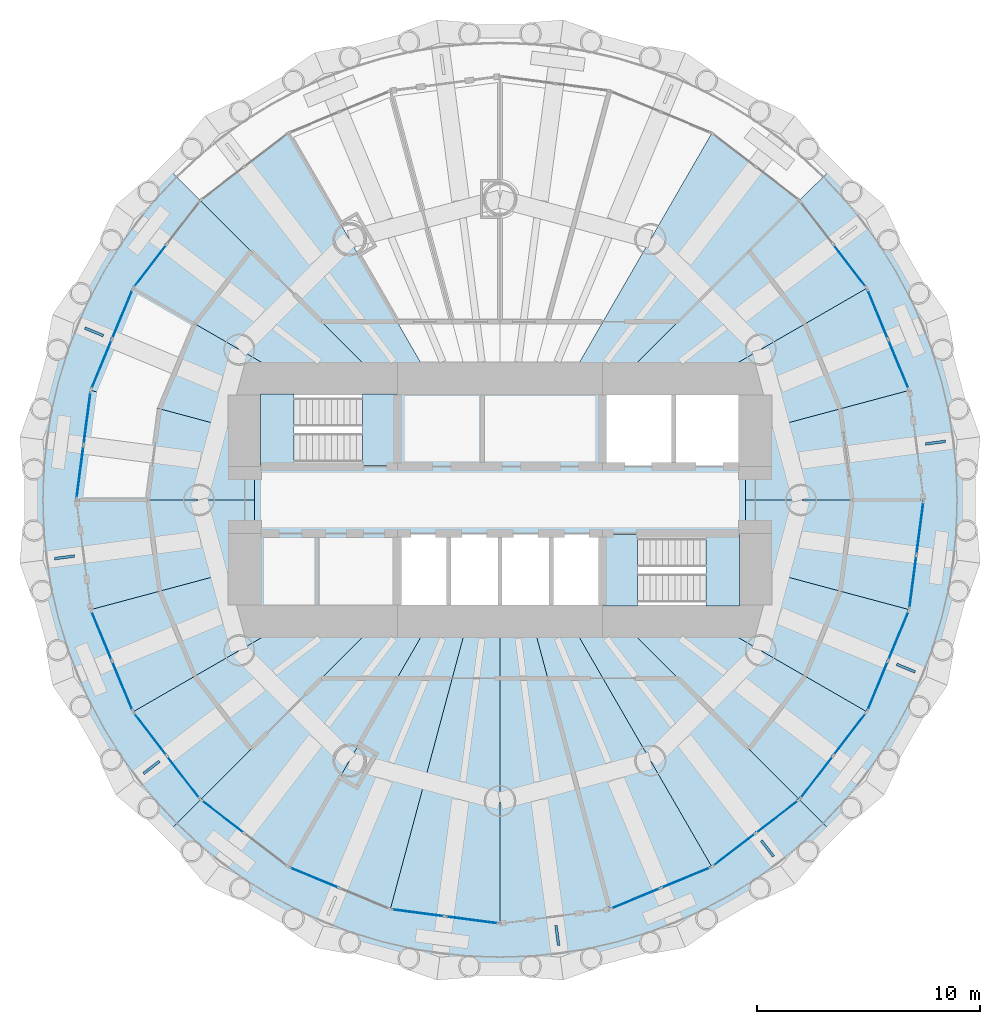
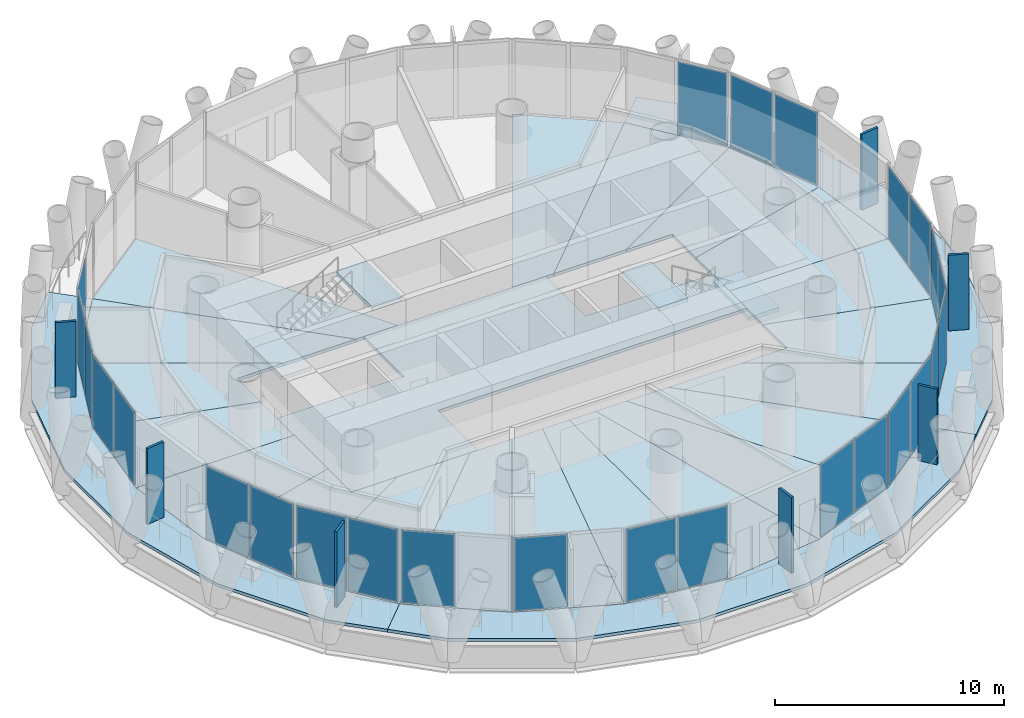
# One storey, part 8 of 16: 33 plates, 28 slabs, 17 elements without a shape of their own.
"""IFC4 building model written with IfcOpenShell, lengths in metres."""

import ifcopenshell
import ifcopenshell.guid

model = None  # the IFC model being written
_history = None  # IfcOwnerHistory: only IFC2X3 demands one
_inside = {}  # id of a spatial element -> (the spatial element, [elements in it])
_under = {}  # id of a project, library or spatial element -> (it, [spatial elements below it])
_declared = {}  # id of a project -> (the project, [libraries it declares])
_typed = {}  # id of a type object -> (the type object, [elements of that type])
_made_of = {}  # id of a material, layer set ... -> (it, [elements and type objects made of it])


def new_model(schema):
    """Start an empty IFC model of exactly this schema.

    Asked for "IFC4X3", IfcOpenShell would pick the latest addendum, in which some entities
    have other attributes; the version numbers below select the first issue.
    IFC2X3 requires an IfcOwnerHistory on every rooted entity: one is made here for all.
    """
    global model, _history
    if schema == "IFC4X3":
        model = ifcopenshell.file(schema_version=(4, 3, 0, 0))
    else:
        model = ifcopenshell.file(schema=schema)
    _inside.clear()
    _under.clear()
    _declared.clear()
    _typed.clear()
    _made_of.clear()
    _history = None
    if model.schema == "IFC2X3":
        org = make("IfcOrganization", Name="unknown")
        user = make(
            "IfcPersonAndOrganization",
            ThePerson=make("IfcPerson", FamilyName="unknown"),
            TheOrganization=org,
        )
        app = make(
            "IfcApplication",
            ApplicationDeveloper=org,
            Version="unknown",
            ApplicationFullName="unknown",
            ApplicationIdentifier="unknown",
        )
        _history = make(
            "IfcOwnerHistory",
            OwningUser=user,
            OwningApplication=app,
            ChangeAction="ADDED",
            CreationDate=0,
        )
    return model


def make(cls, **values):
    """One entity of the class cls with the attributes given. An attribute that is None is left unset."""
    return model.create_entity(
        cls, **{name: value for name, value in values.items() if value is not None}
    )


def rooted(cls, **values):
    """An entity with a GlobalId (a new one), such as an element, a storey or a relation."""
    return make(cls, GlobalId=ifcopenshell.guid.new(), OwnerHistory=_history, **values)


def si_unit(unit_type, name, prefix=None):
    """IfcSIUnit, for example si_unit("LENGTHUNIT", "METRE", prefix="MILLI")."""
    return make("IfcSIUnit", UnitType=unit_type, Prefix=prefix, Name=name)


def assignment(units):
    """IfcUnitAssignment: the units of a project."""
    return None if units is None else make("IfcUnitAssignment", Units=units)


def point(xyz):
    """IfcCartesianPoint."""
    return None if xyz is None else make("IfcCartesianPoint", Coordinates=xyz)


def direction(xyz):
    """IfcDirection."""
    return None if xyz is None else make("IfcDirection", DirectionRatios=xyz)


def frame(location, z_axis=None, x_axis=None):
    """IfcAxis2Placement3D, a coordinate frame: its origin and axes. An axis left out is left unset."""
    return make(
        "IfcAxis2Placement3D",
        Location=point(location),
        Axis=direction(z_axis),
        RefDirection=direction(x_axis),
    )


def frame_2d(location, x_axis=None):
    """IfcAxis2Placement2D, a coordinate frame in the plane: its origin and x axis."""
    return make(
        "IfcAxis2Placement2D", Location=point(location), RefDirection=direction(x_axis)
    )


def origin():
    """The frame at (0, 0, 0) with its axes left unset."""
    return frame((0.0, 0.0, 0.0))


def origin_2d():
    """The frame at (0, 0) in the plane with its x axis left unset."""
    return frame_2d((0.0, 0.0))


def place(relative_to, where):
    """IfcLocalPlacement: puts the frame where relative to a parent placement (None: the world)."""
    return make(
        "IfcLocalPlacement", PlacementRelTo=relative_to, RelativePlacement=where
    )


def context(
    kind, dimensions, precision=None, world=None, true_north=None, identifier=None
):
    """IfcGeometricRepresentationContext, for example the 3D "Model" context."""
    return make(
        "IfcGeometricRepresentationContext",
        ContextIdentifier=identifier,
        ContextType=kind,
        CoordinateSpaceDimension=dimensions,
        Precision=precision,
        WorldCoordinateSystem=world,
        TrueNorth=true_north,
    )


def subcontext(parent, identifier, kind, view, scale=None):
    """IfcGeometricRepresentationSubContext, for example "Body" below "Model"."""
    return make(
        "IfcGeometricRepresentationSubContext",
        ContextIdentifier=identifier,
        ContextType=kind,
        ParentContext=parent,
        TargetScale=scale,
        TargetView=view,
    )


def project(units=None, contexts=None):
    """IfcProject with its units and contexts."""
    return rooted(
        "IfcProject",
        Name="project",
        RepresentationContexts=contexts,
        UnitsInContext=assignment(units),
    )


def spatial(cls, under=None, at=None, **own):
    """A site, building, storey or space (cls), placed at a placement, below another one or the project."""
    s = rooted(cls, ObjectPlacement=at, **own)
    if under is not None:
        _under.setdefault(under.id(), (under, []))[1].append(s)
    return s


def polyline(points):
    """IfcPolyline through the points."""
    return make("IfcPolyline", Points=[point(p) for p in points])


def profile(cls, at=None, kind="AREA", **sizes):
    """A parametric profile (cls). Its sizes go by their IFC names, for example OverallWidth=200.0."""
    return make(cls, ProfileType=kind, Position=at, **sizes)


def rectangle(**sizes):
    """IfcRectangleProfileDef."""
    return profile("IfcRectangleProfileDef", **sizes)


def outline(outer, holes=None, kind="AREA"):
    """IfcArbitraryClosedProfileDef: a profile drawn as a closed curve; with holes, ...WithVoids."""
    if holes is None:
        return make("IfcArbitraryClosedProfileDef", ProfileType=kind, OuterCurve=outer)
    return make(
        "IfcArbitraryProfileDefWithVoids",
        ProfileType=kind,
        OuterCurve=outer,
        InnerCurves=holes,
    )


def extrude(swept, where, along, depth):
    """IfcExtrudedAreaSolid: the profile swept, set in the frame where, extruded along a direction by depth."""
    return make(
        "IfcExtrudedAreaSolid",
        SweptArea=swept,
        Position=where,
        ExtrudedDirection=direction(along),
        Depth=depth,
    )


def shape(context_of_items, identifier, shape_type, items):
    """IfcShapeRepresentation: the items that make up one representation, for example the "Body"."""
    return make(
        "IfcShapeRepresentation",
        ContextOfItems=context_of_items,
        RepresentationIdentifier=identifier,
        RepresentationType=shape_type,
        Items=items,
    )


def material(Name=None, Category=None):
    """IfcMaterial."""
    return make("IfcMaterial", Name=Name, Category=Category)


def layer(
    of_material, thickness, ventilated=None, Name=None, Category=None, Priority=None
):
    """IfcMaterialLayer: one layer of a wall or slab, of a material (None: an air gap)."""
    return make(
        "IfcMaterialLayer",
        Material=of_material,
        LayerThickness=thickness,
        IsVentilated=ventilated,
        Name=Name,
        Category=Category,
        Priority=Priority,
    )


def layer_set(layers, Name=None):
    """IfcMaterialLayerSet."""
    return make("IfcMaterialLayerSet", MaterialLayers=layers, LayerSetName=Name)


def made_of(thing, what):
    """Note that an element or type object is made of a material, layer set ...; save() writes the relation."""
    if what is not None:
        _made_of.setdefault(what.id(), (what, []))[1].append(thing)
    return thing


def type_object(cls, material=None, **own):
    """A type object (cls), such as IfcWallType, which elements share."""
    return made_of(rooted(cls, **own), material)


def element(
    cls,
    number,
    at=None,
    inside=None,
    cuts=None,
    type_object=None,
    material=None,
    context=None,
    identifier="Body",
    shape_type=None,
    held_by="IfcProductDefinitionShape",
    body=None,
    shapes=None,
    **own,
):
    """One element of the class cls, such as IfcWall. Its Tag is "e" and its number.

    at: its placement. inside: the storey or other place that contains it. cuts: it is an
    opening in that element (IfcRelVoidsElement). A single representation is given by context,
    identifier, shape_type and body (its items); several are given by shapes. held_by: the class
    of the entity that holds the representations. save() writes the other relations.
    """
    e = rooted(cls, Tag="e%d" % number, ObjectPlacement=at, **own)
    if body is not None:
        shapes = [shape(context, identifier, shape_type, body)]
    if shapes is not None:
        e.Representation = make(held_by, Representations=shapes)
    if inside is not None:
        _inside.setdefault(inside.id(), (inside, []))[1].append(e)
    if cuts is not None:
        rooted(
            "IfcRelVoidsElement", RelatingBuildingElement=cuts, RelatedOpeningElement=e
        )
    if type_object is not None:
        _typed.setdefault(type_object.id(), (type_object, []))[1].append(e)
    return made_of(e, material)


def aggregate(whole, parts):
    """IfcRelAggregates: a whole, such as a stair, and the parts it consists of."""
    return rooted("IfcRelAggregates", RelatingObject=whole, RelatedObjects=parts)


def save(model, path):
    """Write the relations noted so far, then the file.

    IfcRelAggregates (storeys below a building ...), IfcRelContainedInSpatialStructure (elements
    in a storey), IfcRelDefinesByType, IfcRelAssociatesMaterial and IfcRelDeclares: one each for
    every whole, place, type object, material and project.
    """
    for whole, parts in _under.values():
        aggregate(whole, parts)
    for where, things in _inside.values():
        rooted(
            "IfcRelContainedInSpatialStructure",
            RelatedElements=things,
            RelatingStructure=where,
        )
    for kind, things in _typed.values():
        rooted("IfcRelDefinesByType", RelatedObjects=things, RelatingType=kind)
    for what, things in _made_of.values():
        rooted("IfcRelAssociatesMaterial", RelatedObjects=things, RelatingMaterial=what)
    for by, libraries in _declared.values():
        rooted("IfcRelDeclares", RelatingContext=by, RelatedDefinitions=libraries)
    model.write(path)


model = new_model("IFC4")

# Units and contexts
model_context = context("Model", 3, precision=1e-05, world=origin(), true_north=direction((0.0, 1.0)))
body_context = subcontext(model_context, "Body", "Model", "MODEL_VIEW")
ifc_project = project(units=[si_unit("LENGTHUNIT", "METRE"), si_unit("AREAUNIT", "SQUARE_METRE"), si_unit("VOLUMEUNIT", "CUBIC_METRE"), si_unit("PLANEANGLEUNIT", "RADIAN"), si_unit("MASSUNIT", "GRAM", prefix="KILO")], contexts=[model_context])

# Site, building, storey
site_placement = place(None, origin())
site = spatial("IfcSite", under=ifc_project, at=site_placement, CompositionType="ELEMENT")
building_placement = place(site_placement, origin())
building = spatial("IfcBuilding", under=site, at=building_placement, Name="Qaws Media Tower", CompositionType="ELEMENT")
storey_placement = place(building_placement, frame((0.0, 0.0, 269.60009765625)))
storey = spatial("IfcBuildingStorey", under=building, at=storey_placement, Name="L62", CompositionType="ELEMENT", Elevation=269.60009765625)

# Slabs
ifc_material_1 = material(Name="Concrete C35/45", Category="concrete")
ifc_layer_1 = layer(ifc_material_1, 0.159912109375)
ifc_layer_set_1 = layer_set([ifc_layer_1], Name="Composite balcony slab 160")
slab_type_1 = type_object("IfcSlabType", Name="Composite balcony slab 160", PredefinedType="FLOOR", material=ifc_layer_set_1)
slab_1_placement = place(storey_placement, frame((0.0, 0.0, -0.16015625)))
element("IfcSlab", 1, at=slab_1_placement, inside=storey, type_object=slab_type_1, Name="S2 balcony slab L62 R10 to R16, movement joints on R10 and R16", PredefinedType="FLOOR", context=body_context, shape_type="SweptSolid", body=[
    extrude(outline(polyline([(43.180908203125, 37.09423828125), (40.413818359375, 41.88720703125), (38.9814453125, 47.23291015625), (38.9814453125, 52.76708984375), (40.413818359375, 58.11279296875), (43.180908203125, 62.90576171875), (45.1376953125, 64.8623046875), (46.56494140625, 63.43505859375), (43.54541015625, 59.5), (41.6474609375, 54.91748046875), (41.0, 50.0), (41.6474609375, 45.08251953125), (43.54541015625, 40.5), (46.56494140625, 36.56494140625), (45.1376953125, 35.1376953125), (43.180908203125, 37.09423828125)])), origin(), (0.0, 0.0, 1.0), 0.16015625),
])
slab_2_placement = place(storey_placement, frame((0.0, 0.0, -0.16015625)))
element("IfcSlab", 2, at=slab_2_placement, inside=storey, type_object=slab_type_1, Name="S2 balcony slab L62 R16 to R22, movement joints on R16 and R22", PredefinedType="FLOOR", context=body_context, shape_type="SweptSolid", body=[
    extrude(outline(polyline([(72.90576171875, 33.180908203125), (68.11279296875, 30.413818359375), (62.76708984375, 28.9814453125), (57.23291015625, 28.9814453125), (51.88720703125, 30.413818359375), (47.09423828125, 33.180908203125), (45.1376953125, 35.1376953125), (46.56494140625, 36.56494140625), (50.5, 33.54541015625), (55.08251953125, 31.6474609375), (60.0, 31.0), (64.91748046875, 31.6474609375), (69.5, 33.54541015625), (73.43505859375, 36.56494140625), (74.8623046875, 35.1376953125), (72.90576171875, 33.180908203125)])), origin(), (0.0, 0.0, 1.0), 0.16015625),
])
slab_3_placement = place(storey_placement, frame((0.0, 0.0, -0.16015625)))
element("IfcSlab", 3, at=slab_3_placement, inside=storey, type_object=slab_type_1, Name="S2 balcony slab L62 R22 to R04, movement joints on R22 and R04", PredefinedType="FLOOR", context=body_context, shape_type="SweptSolid", body=[
    extrude(outline(polyline([(79.586181640625, 41.88720703125), (76.819091796875, 37.09423828125), (74.8623046875, 35.1376953125), (73.43505859375, 36.56494140625), (76.45458984375, 40.5), (78.3525390625, 45.08251953125), (79.0, 50.0), (78.3525390625, 54.91748046875), (76.45458984375, 59.5), (73.43505859375, 63.43505859375), (74.8623046875, 64.8623046875), (76.819091796875, 62.90576171875), (79.586181640625, 58.11279296875), (81.0185546875, 52.76708984375), (81.0185546875, 47.23291015625), (79.586181640625, 41.88720703125)])), origin(), (0.0, 0.0, 1.0), 0.16015625),
])
ifc_material_2 = material(Name="Concrete C35/45", Category="concrete")
ifc_layer_2 = layer(ifc_material_2, 0.159912109375)
ifc_layer_set_2 = layer_set([ifc_layer_2], Name="Composite floor slab 160")
slab_type_2 = type_object("IfcSlabType", Name="Composite floor slab 160", PredefinedType="FLOOR", material=ifc_layer_set_2)
slab_4_placement = place(storey_placement, frame((0.0, 0.0, -0.16015625)))
element("IfcSlab", 4, at=slab_4_placement, inside=storey, type_object=slab_type_2, Name="S1 core floor slab L62", PredefinedType="FLOOR", context=body_context, shape_type="SweptSolid", body=[
    extrude(outline(polyline([(71.0, 51.5), (71.0, 48.5), (55.39990234375, 48.5), (55.39990234375, 45.0), (49.0, 45.0), (49.0, 51.5), (55.39990234375, 51.5), (55.39990234375, 55.0), (64.60009765625, 55.0), (64.60009765625, 51.5), (71.0, 51.5)])), origin(), (0.0, 0.0, 1.0), 0.16015625),
])
slab_5_placement = place(storey_placement, frame((0.0, 0.0, -0.16015625)))
element("IfcSlab", 5, at=slab_5_placement, inside=storey, type_object=slab_type_2, Name="S1 floor panel L62 on R01+7.5", PredefinedType="FLOOR", context=body_context, shape_type="SweptSolid", body=[
    extrude(outline(polyline([(78.3525390625, 54.91748046875), (79.0, 50.0), (71.0, 50.0), (71.0, 52.947509765625), (78.3525390625, 54.91748046875)])), origin(), (0.0, 0.0, 1.0), 0.16015625),
])
slab_6_placement = place(storey_placement, frame((0.0, 0.0, -0.16015625)))
element("IfcSlab", 6, at=slab_6_placement, inside=storey, type_object=slab_type_2, Name="S1 floor panel L62 on R02+7.5", PredefinedType="FLOOR", context=body_context, shape_type="SweptSolid", body=[
    extrude(outline(polyline([(76.45458984375, 59.5), (78.3525390625, 54.91748046875), (71.0, 52.947509765625), (71.0, 55.0), (68.660400390625, 55.0), (76.45458984375, 59.5)])), origin(), (0.0, 0.0, 1.0), 0.16015625),
])
slab_7_placement = place(storey_placement, frame((0.0, 0.0, -0.16015625)))
element("IfcSlab", 7, at=slab_7_placement, inside=storey, type_object=slab_type_2, Name="S1 floor panel L62 on R03+7.5", PredefinedType="FLOOR", context=body_context, shape_type="SweptSolid", body=[
    extrude(outline(polyline([(76.45458984375, 59.5), (68.660400390625, 55.0), (65.0, 55.0), (73.43505859375, 63.43505859375), (76.45458984375, 59.5)])), origin(), (0.0, 0.0, 1.0), 0.16015625),
])
slab_8_placement = place(storey_placement, frame((0.0, 0.0, -0.16015625)))
element("IfcSlab", 8, at=slab_8_placement, inside=storey, type_object=slab_type_2, Name="S1 floor panel L62 on R04+7.5", PredefinedType="FLOOR", context=body_context, shape_type="SweptSolid", body=[
    extrude(outline(polyline([(73.43505859375, 63.43505859375), (65.0, 55.0), (62.88671875, 55.0), (69.5, 66.45458984375), (73.43505859375, 63.43505859375)])), origin(), (0.0, 0.0, 1.0), 0.16015625),
])
slab_9_placement = place(storey_placement, frame((0.0, 0.0, -0.16015625)))
element("IfcSlab", 9, at=slab_9_placement, inside=storey, type_object=slab_type_2, Name="S1 floor panel L62 on R09+7.5", PredefinedType="FLOOR", context=body_context, shape_type="SweptSolid", body=[
    extrude(outline(polyline([(50.5, 66.45458984375), (57.11328125, 55.0), (55.0, 55.0), (46.56494140625, 63.43505859375), (50.5, 66.45458984375)])), origin(), (0.0, 0.0, 1.0), 0.16015625),
])
slab_10_placement = place(storey_placement, frame((0.0, 0.0, -0.16015625)))
element("IfcSlab", 10, at=slab_10_placement, inside=storey, type_object=slab_type_2, Name="S1 floor panel L62 on R10+7.5", PredefinedType="FLOOR", context=body_context, shape_type="SweptSolid", body=[
    extrude(outline(polyline([(46.56494140625, 63.43505859375), (55.0, 55.0), (51.339599609375, 55.0), (43.54541015625, 59.5), (46.56494140625, 63.43505859375)])), origin(), (0.0, 0.0, 1.0), 0.16015625),
])
slab_11_placement = place(storey_placement, frame((0.0, 0.0, -0.16015625)))
element("IfcSlab", 11, at=slab_11_placement, inside=storey, type_object=slab_type_2, Name="S1 floor panel L62 on R11+7.5", PredefinedType="FLOOR", context=body_context, shape_type="SweptSolid", body=[
    extrude(outline(polyline([(41.6474609375, 54.91748046875), (43.54541015625, 59.5), (51.339599609375, 55.0), (49.0, 55.0), (49.0, 52.947509765625), (41.6474609375, 54.91748046875)])), origin(), (0.0, 0.0, 1.0), 0.16015625),
])
slab_12_placement = place(storey_placement, frame((0.0, 0.0, -0.16015625)))
element("IfcSlab", 12, at=slab_12_placement, inside=storey, type_object=slab_type_2, Name="S1 floor panel L62 on R12+7.5", PredefinedType="FLOOR", context=body_context, shape_type="SweptSolid", body=[
    extrude(outline(polyline([(41.6474609375, 54.91748046875), (49.0, 52.947509765625), (49.0, 50.0), (41.0, 50.0), (41.6474609375, 54.91748046875)])), origin(), (0.0, 0.0, 1.0), 0.16015625),
])
slab_13_placement = place(storey_placement, frame((0.0, 0.0, -0.16015625)))
element("IfcSlab", 13, at=slab_13_placement, inside=storey, type_object=slab_type_2, Name="S1 floor panel L62 on R13+7.5", PredefinedType="FLOOR", context=body_context, shape_type="SweptSolid", body=[
    extrude(outline(polyline([(41.6474609375, 45.08251953125), (41.0, 50.0), (49.0, 50.0), (49.0, 47.052490234375), (41.6474609375, 45.08251953125)])), origin(), (0.0, 0.0, 1.0), 0.16015625),
])
slab_14_placement = place(storey_placement, frame((0.0, 0.0, -0.16015625)))
element("IfcSlab", 14, at=slab_14_placement, inside=storey, type_object=slab_type_2, Name="S1 floor panel L62 on R14+7.5", PredefinedType="FLOOR", context=body_context, shape_type="SweptSolid", body=[
    extrude(outline(polyline([(43.54541015625, 40.5), (41.6474609375, 45.08251953125), (49.0, 47.052490234375), (49.0, 45.0), (51.339599609375, 45.0), (43.54541015625, 40.5)])), origin(), (0.0, 0.0, 1.0), 0.16015625),
])
slab_15_placement = place(storey_placement, frame((0.0, 0.0, -0.16015625)))
element("IfcSlab", 15, at=slab_15_placement, inside=storey, type_object=slab_type_2, Name="S1 floor panel L62 on R15+7.5", PredefinedType="FLOOR", context=body_context, shape_type="SweptSolid", body=[
    extrude(outline(polyline([(43.54541015625, 40.5), (51.339599609375, 45.0), (55.0, 45.0), (46.56494140625, 36.56494140625), (43.54541015625, 40.5)])), origin(), (0.0, 0.0, 1.0), 0.16015625),
])
slab_16_placement = place(storey_placement, frame((0.0, 0.0, -0.16015625)))
element("IfcSlab", 16, at=slab_16_placement, inside=storey, type_object=slab_type_2, Name="S1 floor panel L62 on R16+7.5", PredefinedType="FLOOR", context=body_context, shape_type="SweptSolid", body=[
    extrude(outline(polyline([(46.56494140625, 36.56494140625), (55.0, 45.0), (57.11328125, 45.0), (50.5, 33.54541015625), (46.56494140625, 36.56494140625)])), origin(), (0.0, 0.0, 1.0), 0.16015625),
])
slab_17_placement = place(storey_placement, frame((0.0, 0.0, -0.16015625)))
element("IfcSlab", 17, at=slab_17_placement, inside=storey, type_object=slab_type_2, Name="S1 floor panel L62 on R17+7.5", PredefinedType="FLOOR", context=body_context, shape_type="SweptSolid", body=[
    extrude(outline(polyline([(50.5, 33.54541015625), (57.11328125, 45.0), (58.660400390625, 45.0), (55.08251953125, 31.6474609375), (50.5, 33.54541015625)])), origin(), (0.0, 0.0, 1.0), 0.16015625),
])
slab_18_placement = place(storey_placement, frame((0.0, 0.0, -0.16015625)))
element("IfcSlab", 18, at=slab_18_placement, inside=storey, type_object=slab_type_2, Name="S1 floor panel L62 on R18+7.5", PredefinedType="FLOOR", context=body_context, shape_type="SweptSolid", body=[
    extrude(outline(polyline([(55.08251953125, 31.6474609375), (58.660400390625, 45.0), (60.0, 45.0), (60.0, 31.0), (55.08251953125, 31.6474609375)])), origin(), (0.0, 0.0, 1.0), 0.16015625),
])
slab_19_placement = place(storey_placement, frame((0.0, 0.0, -0.16015625)))
element("IfcSlab", 19, at=slab_19_placement, inside=storey, type_object=slab_type_2, Name="S1 floor panel L62 on R19+7.5", PredefinedType="FLOOR", context=body_context, shape_type="SweptSolid", body=[
    extrude(outline(polyline([(64.91748046875, 31.6474609375), (60.0, 31.0), (60.0, 45.0), (61.339599609375, 45.0), (64.91748046875, 31.6474609375)])), origin(), (0.0, 0.0, 1.0), 0.16015625),
])
slab_20_placement = place(storey_placement, frame((0.0, 0.0, -0.16015625)))
element("IfcSlab", 20, at=slab_20_placement, inside=storey, type_object=slab_type_2, Name="S1 floor panel L62 on R20+7.5", PredefinedType="FLOOR", context=body_context, shape_type="SweptSolid", body=[
    extrude(outline(polyline([(69.5, 33.54541015625), (64.91748046875, 31.6474609375), (61.339599609375, 45.0), (62.88671875, 45.0), (69.5, 33.54541015625)])), origin(), (0.0, 0.0, 1.0), 0.16015625),
])
slab_21_placement = place(storey_placement, frame((0.0, 0.0, -0.16015625)))
element("IfcSlab", 21, at=slab_21_placement, inside=storey, type_object=slab_type_2, Name="S1 floor panel L62 on R21+7.5", PredefinedType="FLOOR", context=body_context, shape_type="SweptSolid", body=[
    extrude(outline(polyline([(69.5, 33.54541015625), (62.88671875, 45.0), (65.0, 45.0), (73.43505859375, 36.56494140625), (69.5, 33.54541015625)])), origin(), (0.0, 0.0, 1.0), 0.16015625),
])
slab_22_placement = place(storey_placement, frame((0.0, 0.0, -0.16015625)))
element("IfcSlab", 22, at=slab_22_placement, inside=storey, type_object=slab_type_2, Name="S1 floor panel L62 on R22+7.5", PredefinedType="FLOOR", context=body_context, shape_type="SweptSolid", body=[
    extrude(outline(polyline([(73.43505859375, 36.56494140625), (65.0, 45.0), (68.660400390625, 45.0), (76.45458984375, 40.5), (73.43505859375, 36.56494140625)])), origin(), (0.0, 0.0, 1.0), 0.16015625),
])
slab_23_placement = place(storey_placement, frame((0.0, 0.0, -0.16015625)))
element("IfcSlab", 23, at=slab_23_placement, inside=storey, type_object=slab_type_2, Name="S1 floor panel L62 on R23+7.5", PredefinedType="FLOOR", context=body_context, shape_type="SweptSolid", body=[
    extrude(outline(polyline([(78.3525390625, 45.08251953125), (76.45458984375, 40.5), (68.660400390625, 45.0), (71.0, 45.0), (71.0, 47.052490234375), (78.3525390625, 45.08251953125)])), origin(), (0.0, 0.0, 1.0), 0.16015625),
])
slab_24_placement = place(storey_placement, frame((0.0, 0.0, -0.16015625)))
element("IfcSlab", 24, at=slab_24_placement, inside=storey, type_object=slab_type_2, Name="S1 floor panel L62 on R24+7.5", PredefinedType="FLOOR", context=body_context, shape_type="SweptSolid", body=[
    extrude(outline(polyline([(78.3525390625, 45.08251953125), (71.0, 47.052490234375), (71.0, 50.0), (79.0, 50.0), (78.3525390625, 45.08251953125)])), origin(), (0.0, 0.0, 1.0), 0.16015625),
])

# Curtain wall, plates
ifc_material_3 = material(Name="Aluminium and clear glass", Category="aluminium")
curtain_wall_type = type_object("IfcCurtainWallType", Name="Unitised curtain wall CW-D", PredefinedType="NOTDEFINED", material=ifc_material_3)
curtain_wall_1_placement = place(storey_placement, origin())
curtain_wall_1 = element("IfcCurtainWall", 25, at=curtain_wall_1_placement, inside=storey, type_object=curtain_wall_type, Name="CWD curtain wall L62-02", PredefinedType="NOTDEFINED")
ifc_material_4 = material(Name="Clear laminated double glazing", Category="glass")
ifc_layer_3 = layer(ifc_material_4, 0.031982421875)
ifc_layer_set_3 = layer_set([ifc_layer_3], Name="Curtain wall glass unit 32")
plate_type_1 = type_object("IfcPlateType", Name="Curtain wall glass unit 32", PredefinedType="CURTAIN_PANEL", material=ifc_layer_set_3)
plate_1_placement = place(storey_placement, frame((77.870361328125, 56.08154296875, 0.080078125), z_axis=(0.0, 0.0, 1.0), x_axis=(-0.382683437815, 0.923879530254, 0.0)))
plate_1 = element("IfcPlate", 26, at=plate_1_placement, type_object=plate_type_1, Name="CWD panel 1.1", PredefinedType="CURTAIN_PANEL", context=body_context, shape_type="SweptSolid", body=[
    extrude(rectangle(XDim=2.360107421875, YDim=0.031982421875, at=origin_2d()), origin(), (0.0, 0.0, 1.0), 3.8798828125),
])
plate_2_placement = place(storey_placement, frame((76.936767578125, 58.3359375, 0.080078125), z_axis=(0.0, 0.0, 1.0), x_axis=(-0.382683437815, 0.923879530254, 0.0)))
plate_2 = element("IfcPlate", 27, at=plate_2_placement, type_object=plate_type_1, Name="CWD panel 2.1", PredefinedType="CURTAIN_PANEL", context=body_context, shape_type="SweptSolid", body=[
    extrude(rectangle(XDim=2.360107421875, YDim=0.031982421875, at=origin_2d()), origin(), (0.0, 0.0, 1.0), 3.8798828125),
])
aggregate(curtain_wall_1, [plate_1, plate_2])

# Curtain wall, plate
curtain_wall_2_placement = place(storey_placement, origin())
curtain_wall_2 = element("IfcCurtainWall", 28, at=curtain_wall_2_placement, inside=storey, type_object=curtain_wall_type, Name="CWD curtain wall L62-03", PredefinedType="NOTDEFINED")
plate_3_placement = place(storey_placement, frame((75.6875, 60.49951171875, 0.080078125), z_axis=(0.0, 0.0, 1.0), x_axis=(-0.608761435337, 0.793353335436, 0.0)))
plate_3 = element("IfcPlate", 29, at=plate_3_placement, type_object=plate_type_1, Name="CWD panel 1.1", PredefinedType="CURTAIN_PANEL", context=body_context, shape_type="SweptSolid", body=[
    extrude(rectangle(XDim=2.360107421875, YDim=0.031982421875, at=origin_2d()), origin(), (0.0, 0.0, 1.0), 3.8798828125),
])
aggregate(curtain_wall_2, [plate_3])

curtain_wall_3_placement = place(storey_placement, origin())
curtain_wall_3 = element("IfcCurtainWall", 30, at=curtain_wall_3_placement, inside=storey, type_object=curtain_wall_type, Name="CWD curtain wall L62-10", PredefinedType="NOTDEFINED")
plate_4_placement = place(storey_placement, frame((44.3125, 60.49951171875, 0.080078125), z_axis=(0.0, 0.0, 1.0), x_axis=(-0.608761435337, -0.793353335436, 0.0)))
plate_4 = element("IfcPlate", 31, at=plate_4_placement, type_object=plate_type_1, Name="CWD panel 2.1", PredefinedType="CURTAIN_PANEL", context=body_context, shape_type="SweptSolid", body=[
    extrude(rectangle(XDim=2.360107421875, YDim=0.031982421875, at=origin_2d()), origin(), (0.0, 0.0, 1.0), 3.8798828125),
])
aggregate(curtain_wall_3, [plate_4])

# Curtain wall, plates
curtain_wall_4_placement = place(storey_placement, origin())
curtain_wall_4 = element("IfcCurtainWall", 32, at=curtain_wall_4_placement, inside=storey, type_object=curtain_wall_type, Name="CWD curtain wall L62-11", PredefinedType="NOTDEFINED")
plate_5_placement = place(storey_placement, frame((43.063232421875, 58.3359375, 0.080078125), z_axis=(0.0, 0.0, 1.0), x_axis=(-0.382683437815, -0.923879530254, 0.0)))
plate_5 = element("IfcPlate", 33, at=plate_5_placement, type_object=plate_type_1, Name="CWD panel 1.1", PredefinedType="CURTAIN_PANEL", context=body_context, shape_type="SweptSolid", body=[
    extrude(rectangle(XDim=2.360107421875, YDim=0.031982421875, at=origin_2d()), origin(), (0.0, 0.0, 1.0), 3.8798828125),
])
plate_6_placement = place(storey_placement, frame((42.129638671875, 56.08154296875, 0.080078125), z_axis=(0.0, 0.0, 1.0), x_axis=(-0.382683437815, -0.923879530254, 0.0)))
plate_6 = element("IfcPlate", 34, at=plate_6_placement, type_object=plate_type_1, Name="CWD panel 2.1", PredefinedType="CURTAIN_PANEL", context=body_context, shape_type="SweptSolid", body=[
    extrude(rectangle(XDim=2.360107421875, YDim=0.031982421875, at=origin_2d()), origin(), (0.0, 0.0, 1.0), 3.8798828125),
])
aggregate(curtain_wall_4, [plate_5, plate_6])

curtain_wall_5_placement = place(storey_placement, origin())
curtain_wall_5 = element("IfcCurtainWall", 35, at=curtain_wall_5_placement, inside=storey, type_object=curtain_wall_type, Name="CWD curtain wall L62-12", PredefinedType="NOTDEFINED")
plate_7_placement = place(storey_placement, frame((41.48291015625, 53.66845703125, 0.080078125), z_axis=(0.0, 0.0, 1.0), x_axis=(-0.130526128939, -0.991444869705, 0.0)))
plate_7 = element("IfcPlate", 36, at=plate_7_placement, type_object=plate_type_1, Name="CWD panel 1.1", PredefinedType="CURTAIN_PANEL", context=body_context, shape_type="SweptSolid", body=[
    extrude(rectangle(XDim=2.360107421875, YDim=0.031982421875, at=origin_2d()), origin(), (0.0, 0.0, 1.0), 3.8798828125),
])
plate_8_placement = place(storey_placement, frame((41.16455078125, 51.249267578125, 0.080078125), z_axis=(0.0, 0.0, 1.0), x_axis=(-0.130526128939, -0.991444869705, 0.0)))
plate_8 = element("IfcPlate", 37, at=plate_8_placement, type_object=plate_type_1, Name="CWD panel 2.1", PredefinedType="CURTAIN_PANEL", context=body_context, shape_type="SweptSolid", body=[
    extrude(rectangle(XDim=2.360107421875, YDim=0.031982421875, at=origin_2d()), origin(), (0.0, 0.0, 1.0), 3.8798828125),
])
aggregate(curtain_wall_5, [plate_7, plate_8])

curtain_wall_6_placement = place(storey_placement, origin())
curtain_wall_6 = element("IfcCurtainWall", 38, at=curtain_wall_6_placement, inside=storey, type_object=curtain_wall_type, Name="CWD curtain wall L62-14", PredefinedType="NOTDEFINED")
plate_9_placement = place(storey_placement, frame((42.129638671875, 43.91845703125, 0.080078125), z_axis=(0.0, 0.0, 1.0), x_axis=(0.382683437815, -0.923879530254, 0.0)))
plate_9 = element("IfcPlate", 39, at=plate_9_placement, type_object=plate_type_1, Name="CWD panel 1.1", PredefinedType="CURTAIN_PANEL", context=body_context, shape_type="SweptSolid", body=[
    extrude(rectangle(XDim=2.360107421875, YDim=0.031982421875, at=origin_2d()), origin(), (0.0, 0.0, 1.0), 3.8798828125),
])
plate_10_placement = place(storey_placement, frame((43.063232421875, 41.6640625, 0.080078125), z_axis=(0.0, 0.0, 1.0), x_axis=(0.382683437815, -0.923879530254, 0.0)))
plate_10 = element("IfcPlate", 40, at=plate_10_placement, type_object=plate_type_1, Name="CWD panel 2.1", PredefinedType="CURTAIN_PANEL", context=body_context, shape_type="SweptSolid", body=[
    extrude(rectangle(XDim=2.360107421875, YDim=0.031982421875, at=origin_2d()), origin(), (0.0, 0.0, 1.0), 3.8798828125),
])
aggregate(curtain_wall_6, [plate_9, plate_10])

curtain_wall_7_placement = place(storey_placement, origin())
curtain_wall_7 = element("IfcCurtainWall", 41, at=curtain_wall_7_placement, inside=storey, type_object=curtain_wall_type, Name="CWD curtain wall L62-15", PredefinedType="NOTDEFINED")
plate_11_placement = place(storey_placement, frame((44.3125, 39.50048828125, 0.080078125), z_axis=(0.0, 0.0, 1.0), x_axis=(0.608761435337, -0.793353335436, 0.0)))
plate_11 = element("IfcPlate", 42, at=plate_11_placement, type_object=plate_type_1, Name="CWD panel 1.1", PredefinedType="CURTAIN_PANEL", context=body_context, shape_type="SweptSolid", body=[
    extrude(rectangle(XDim=2.360107421875, YDim=0.031982421875, at=origin_2d()), origin(), (0.0, 0.0, 1.0), 3.8798828125),
])
plate_12_placement = place(storey_placement, frame((45.7978515625, 37.564697265625, 0.080078125), z_axis=(0.0, 0.0, 1.0), x_axis=(0.608761435337, -0.793353335436, 0.0)))
plate_12 = element("IfcPlate", 43, at=plate_12_placement, type_object=plate_type_1, Name="CWD panel 2.1", PredefinedType="CURTAIN_PANEL", context=body_context, shape_type="SweptSolid", body=[
    extrude(rectangle(XDim=2.360107421875, YDim=0.031982421875, at=origin_2d()), origin(), (0.0, 0.0, 1.0), 3.8798828125),
])
aggregate(curtain_wall_7, [plate_11, plate_12])

# Curtain wall, plate
curtain_wall_8_placement = place(storey_placement, origin())
curtain_wall_8 = element("IfcCurtainWall", 44, at=curtain_wall_8_placement, inside=storey, type_object=curtain_wall_type, Name="CWD curtain wall L62-16", PredefinedType="NOTDEFINED")
plate_13_placement = place(storey_placement, frame((47.564697265625, 35.7978515625, 0.080078125), z_axis=(0.0, 0.0, 1.0), x_axis=(0.793353335436, -0.608761435337, 0.0)))
plate_13 = element("IfcPlate", 45, at=plate_13_placement, type_object=plate_type_1, Name="CWD panel 1.1", PredefinedType="CURTAIN_PANEL", context=body_context, shape_type="SweptSolid", body=[
    extrude(rectangle(XDim=2.360107421875, YDim=0.031982421875, at=origin_2d()), origin(), (0.0, 0.0, 1.0), 3.8798828125),
])
aggregate(curtain_wall_8, [plate_13])

curtain_wall_9_placement = place(storey_placement, origin())
curtain_wall_9 = element("IfcCurtainWall", 46, at=curtain_wall_9_placement, inside=storey, type_object=curtain_wall_type, Name="CWD curtain wall L62-17", PredefinedType="NOTDEFINED")
plate_14_placement = place(storey_placement, frame((51.6640625, 33.063232421875, 0.080078125), z_axis=(0.0, 0.0, 1.0), x_axis=(0.923879530254, -0.382683437815, 0.0)))
plate_14 = element("IfcPlate", 47, at=plate_14_placement, type_object=plate_type_1, Name="CWD panel 1.1", PredefinedType="CURTAIN_PANEL", context=body_context, shape_type="SweptSolid", body=[
    extrude(rectangle(XDim=2.360107421875, YDim=0.031982421875, at=origin_2d()), origin(), (0.0, 0.0, 1.0), 3.8798828125),
])
aggregate(curtain_wall_9, [plate_14])

# Curtain wall, plates
curtain_wall_10_placement = place(storey_placement, origin())
curtain_wall_10 = element("IfcCurtainWall", 48, at=curtain_wall_10_placement, inside=storey, type_object=curtain_wall_type, Name="CWD curtain wall L62-18", PredefinedType="NOTDEFINED")
plate_15_placement = place(storey_placement, frame((56.33154296875, 31.48291015625, 0.080078125), z_axis=(0.0, 0.0, 1.0), x_axis=(0.991444869705, -0.130526128939, 0.0)))
plate_15 = element("IfcPlate", 49, at=plate_15_placement, type_object=plate_type_1, Name="CWD panel 1.1", PredefinedType="CURTAIN_PANEL", context=body_context, shape_type="SweptSolid", body=[
    extrude(rectangle(XDim=2.360107421875, YDim=0.031982421875, at=origin_2d()), origin(), (0.0, 0.0, 1.0), 3.8798828125),
])
plate_16_placement = place(storey_placement, frame((58.750732421875, 31.16455078125, 0.080078125), z_axis=(0.0, 0.0, 1.0), x_axis=(0.991444869705, -0.130526128939, 0.0)))
plate_16 = element("IfcPlate", 50, at=plate_16_placement, type_object=plate_type_1, Name="CWD panel 2.1", PredefinedType="CURTAIN_PANEL", context=body_context, shape_type="SweptSolid", body=[
    extrude(rectangle(XDim=2.360107421875, YDim=0.031982421875, at=origin_2d()), origin(), (0.0, 0.0, 1.0), 3.8798828125),
])
aggregate(curtain_wall_10, [plate_15, plate_16])

curtain_wall_11_placement = place(storey_placement, origin())
curtain_wall_11 = element("IfcCurtainWall", 51, at=curtain_wall_11_placement, inside=storey, type_object=curtain_wall_type, Name="CWD curtain wall L62-20", PredefinedType="NOTDEFINED")
plate_17_placement = place(storey_placement, frame((66.08154296875, 32.129638671875, 0.080078125), z_axis=(0.0, 0.0, 1.0), x_axis=(0.923879530254, 0.382683437815, 0.0)))
plate_17 = element("IfcPlate", 52, at=plate_17_placement, type_object=plate_type_1, Name="CWD panel 1.1", PredefinedType="CURTAIN_PANEL", context=body_context, shape_type="SweptSolid", body=[
    extrude(rectangle(XDim=2.360107421875, YDim=0.031982421875, at=origin_2d()), origin(), (0.0, 0.0, 1.0), 3.8798828125),
])
plate_18_placement = place(storey_placement, frame((68.3359375, 33.063232421875, 0.080078125), z_axis=(0.0, 0.0, 1.0), x_axis=(0.923879530254, 0.382683437815, 0.0)))
plate_18 = element("IfcPlate", 53, at=plate_18_placement, type_object=plate_type_1, Name="CWD panel 2.1", PredefinedType="CURTAIN_PANEL", context=body_context, shape_type="SweptSolid", body=[
    extrude(rectangle(XDim=2.360107421875, YDim=0.031982421875, at=origin_2d()), origin(), (0.0, 0.0, 1.0), 3.8798828125),
])
aggregate(curtain_wall_11, [plate_17, plate_18])

curtain_wall_12_placement = place(storey_placement, origin())
curtain_wall_12 = element("IfcCurtainWall", 54, at=curtain_wall_12_placement, inside=storey, type_object=curtain_wall_type, Name="CWD curtain wall L62-21", PredefinedType="NOTDEFINED")
plate_19_placement = place(storey_placement, frame((70.49951171875, 34.3125, 0.080078125), z_axis=(0.0, 0.0, 1.0), x_axis=(0.793353335436, 0.608761435337, 0.0)))
plate_19 = element("IfcPlate", 55, at=plate_19_placement, type_object=plate_type_1, Name="CWD panel 1.1", PredefinedType="CURTAIN_PANEL", context=body_context, shape_type="SweptSolid", body=[
    extrude(rectangle(XDim=2.360107421875, YDim=0.031982421875, at=origin_2d()), origin(), (0.0, 0.0, 1.0), 3.8798828125),
])
plate_20_placement = place(storey_placement, frame((72.435302734375, 35.7978515625, 0.080078125), z_axis=(0.0, 0.0, 1.0), x_axis=(0.793353335436, 0.608761435337, 0.0)))
plate_20 = element("IfcPlate", 56, at=plate_20_placement, type_object=plate_type_1, Name="CWD panel 2.1", PredefinedType="CURTAIN_PANEL", context=body_context, shape_type="SweptSolid", body=[
    extrude(rectangle(XDim=2.360107421875, YDim=0.031982421875, at=origin_2d()), origin(), (0.0, 0.0, 1.0), 3.8798828125),
])
aggregate(curtain_wall_12, [plate_19, plate_20])

curtain_wall_13_placement = place(storey_placement, origin())
curtain_wall_13 = element("IfcCurtainWall", 57, at=curtain_wall_13_placement, inside=storey, type_object=curtain_wall_type, Name="CWD curtain wall L62-22", PredefinedType="NOTDEFINED")
plate_21_placement = place(storey_placement, frame((74.2021484375, 37.564697265625, 0.080078125), z_axis=(0.0, 0.0, 1.0), x_axis=(0.608761435337, 0.793353335436, 0.0)))
plate_21 = element("IfcPlate", 58, at=plate_21_placement, type_object=plate_type_1, Name="CWD panel 1.1", PredefinedType="CURTAIN_PANEL", context=body_context, shape_type="SweptSolid", body=[
    extrude(rectangle(XDim=2.360107421875, YDim=0.031982421875, at=origin_2d()), origin(), (0.0, 0.0, 1.0), 3.8798828125),
])
plate_22_placement = place(storey_placement, frame((75.6875, 39.50048828125, 0.080078125), z_axis=(0.0, 0.0, 1.0), x_axis=(0.608761435337, 0.793353335436, 0.0)))
plate_22 = element("IfcPlate", 59, at=plate_22_placement, type_object=plate_type_1, Name="CWD panel 2.1", PredefinedType="CURTAIN_PANEL", context=body_context, shape_type="SweptSolid", body=[
    extrude(rectangle(XDim=2.360107421875, YDim=0.031982421875, at=origin_2d()), origin(), (0.0, 0.0, 1.0), 3.8798828125),
])
aggregate(curtain_wall_13, [plate_21, plate_22])

curtain_wall_14_placement = place(storey_placement, origin())
curtain_wall_14 = element("IfcCurtainWall", 60, at=curtain_wall_14_placement, inside=storey, type_object=curtain_wall_type, Name="CWD curtain wall L62-23", PredefinedType="NOTDEFINED")
plate_23_placement = place(storey_placement, frame((76.936767578125, 41.6640625, 0.080078125), z_axis=(0.0, 0.0, 1.0), x_axis=(0.382683437815, 0.923879530254, 0.0)))
plate_23 = element("IfcPlate", 61, at=plate_23_placement, type_object=plate_type_1, Name="CWD panel 1.1", PredefinedType="CURTAIN_PANEL", context=body_context, shape_type="SweptSolid", body=[
    extrude(rectangle(XDim=2.360107421875, YDim=0.031982421875, at=origin_2d()), origin(), (0.0, 0.0, 1.0), 3.8798828125),
])
plate_24_placement = place(storey_placement, frame((77.870361328125, 43.91845703125, 0.080078125), z_axis=(0.0, 0.0, 1.0), x_axis=(0.382683437815, 0.923879530254, 0.0)))
plate_24 = element("IfcPlate", 62, at=plate_24_placement, type_object=plate_type_1, Name="CWD panel 2.1", PredefinedType="CURTAIN_PANEL", context=body_context, shape_type="SweptSolid", body=[
    extrude(rectangle(XDim=2.360107421875, YDim=0.031982421875, at=origin_2d()), origin(), (0.0, 0.0, 1.0), 3.8798828125),
])
aggregate(curtain_wall_14, [plate_23, plate_24])

curtain_wall_15_placement = place(storey_placement, origin())
curtain_wall_15 = element("IfcCurtainWall", 63, at=curtain_wall_15_placement, inside=storey, type_object=curtain_wall_type, Name="CWD curtain wall L62-24", PredefinedType="NOTDEFINED")
plate_25_placement = place(storey_placement, frame((78.51708984375, 46.33154296875, 0.080078125), z_axis=(0.0, 0.0, 1.0), x_axis=(0.130526128939, 0.991444869705, 0.0)))
plate_25 = element("IfcPlate", 64, at=plate_25_placement, type_object=plate_type_1, Name="CWD panel 1.1", PredefinedType="CURTAIN_PANEL", context=body_context, shape_type="SweptSolid", body=[
    extrude(rectangle(XDim=2.360107421875, YDim=0.031982421875, at=origin_2d()), origin(), (0.0, 0.0, 1.0), 3.8798828125),
])
plate_26_placement = place(storey_placement, frame((78.83544921875, 48.750732421875, 0.080078125), z_axis=(0.0, 0.0, 1.0), x_axis=(0.130526128939, 0.991444869705, 0.0)))
plate_26 = element("IfcPlate", 65, at=plate_26_placement, type_object=plate_type_1, Name="CWD panel 2.1", PredefinedType="CURTAIN_PANEL", context=body_context, shape_type="SweptSolid", body=[
    extrude(rectangle(XDim=2.360107421875, YDim=0.031982421875, at=origin_2d()), origin(), (0.0, 0.0, 1.0), 3.8798828125),
])
aggregate(curtain_wall_15, [plate_25, plate_26])

# Plates
ifc_material_5 = material(Name="Precast concrete screen fin", Category="concrete")
ifc_layer_4 = layer(ifc_material_5, 0.1201171875)
ifc_layer_set_4 = layer_set([ifc_layer_4], Name="Screen fin 120x900")
plate_type_2 = type_object("IfcPlateType", Name="Screen fin 120x900", PredefinedType="USERDEFINED", material=ifc_layer_set_4)
for number, where, z_axis, x_axis, name in (
    (66, (79.531494140625, 52.5712890625, 0.0), (0.0, 0.0, 1.0), (0.991444861374, 0.13052619222, 0.0), "SCR1 screen fin L62-01"),
    (67, (41.799560546875, 57.538818359375, 0.0), (0.0, 0.0, 1.0), (-0.923879532511, 0.382683432365, 0.0), "SCR1 screen fin L62-06"),
    (68, (40.468505859375, 47.4287109375, 0.0), (0.0, 0.0, 1.0), (-0.991444861374, -0.13052619222, 0.0), "SCR1 screen fin L62-07"),
    (69, (44.370849609375, 38.00732421875, 0.0), (0.0, 0.0, 1.0), (-0.793353340291, -0.608761429009, 0.0), "SCR1 screen fin L62-08"),
    (70, (62.5712890625, 30.468505859375, 0.0), (0.0, 0.0, 1.0), (0.13052619222, -0.991444861374, 0.0), "SCR1 screen fin L62-10"),
    (71, (71.99267578125, 34.370849609375, 0.0), (0.0, 0.0, 1.0), (0.608761429009, -0.793353340291, 0.0), "SCR1 screen fin L62-11"),
    (72, (78.200439453125, 42.461181640625, 0.0), (0.0, 0.0, 1.0), (0.923879532511, -0.382683432365, 0.0), "SCR1 screen fin L62-12"),
):
    element("IfcPlate", number, at=place(storey_placement, frame(where, z_axis=z_axis, x_axis=x_axis)), inside=storey, type_object=plate_type_2, Name=name, ObjectType="SCREEN", PredefinedType="USERDEFINED", context=body_context, shape_type="SweptSolid", body=[
        extrude(rectangle(XDim=0.89990234375, YDim=0.1201171875, at=origin_2d()), origin(), (0.0, 0.0, 1.0), 4.0400390625),
    ])

# Stair, slabs
ifc_material_6 = material(Name="Concrete C40/50", Category="concrete")
stair_type = type_object("IfcStairType", Name="Exit stair", PredefinedType="HALF_TURN_STAIR", material=ifc_material_6)
stair_1_placement = place(storey_placement, origin())
stair_1 = element("IfcStair", 73, at=stair_1_placement, inside=storey, type_object=stair_type, Name="S1 exit stair L62", PredefinedType="HALF_TURN_STAIR")
ifc_material_7 = material(Name="Concrete C40/50", Category="concrete")
ifc_layer_5 = layer(ifc_material_7, 0.199951171875)
ifc_layer_set_5 = layer_set([ifc_layer_5], Name="Stair landing 200")
slab_type_3 = type_object("IfcSlabType", Name="Stair landing 200", PredefinedType="LANDING", material=ifc_layer_set_5)
slab_25_placement = place(storey_placement, frame((0.0, 0.0, 1.89990234375)))
slab_25 = element("IfcSlab", 74, at=slab_25_placement, type_object=slab_type_3, Name="S1 landing 1", PredefinedType="LANDING", context=body_context, shape_type="SweptSolid", body=[
    extrude(outline(polyline([(49.25, 51.550048828125), (50.760009765625, 51.550048828125), (50.760009765625, 54.75), (49.25, 54.75), (49.25, 51.550048828125)])), origin(), (0.0, 0.0, 1.0), 0.199951171875),
])
slab_26_placement = place(storey_placement, frame((0.0, 0.0, 4.0)))
slab_26 = element("IfcSlab", 75, at=slab_26_placement, type_object=slab_type_3, Name="S1 landing 2", PredefinedType="LANDING", context=body_context, shape_type="SweptSolid", body=[
    extrude(outline(polyline([(53.840087890625, 51.550048828125), (55.35009765625, 51.550048828125), (55.35009765625, 54.75), (53.840087890625, 54.75), (53.840087890625, 51.550048828125)])), origin(), (0.0, 0.0, 1.0), 0.199951171875),
])
aggregate(stair_1, [slab_25, slab_26])

stair_2_placement = place(storey_placement, origin())
stair_2 = element("IfcStair", 76, at=stair_2_placement, inside=storey, type_object=stair_type, Name="S2 exit stair L62", PredefinedType="HALF_TURN_STAIR")
slab_27_placement = place(storey_placement, frame((0.0, 0.0, 1.89990234375)))
slab_27 = element("IfcSlab", 77, at=slab_27_placement, type_object=slab_type_3, Name="S2 landing 1", PredefinedType="LANDING", context=body_context, shape_type="SweptSolid", body=[
    extrude(outline(polyline([(69.239990234375, 45.25), (70.75, 45.25), (70.75, 48.449951171875), (69.239990234375, 48.449951171875), (69.239990234375, 45.25)])), origin(), (0.0, 0.0, 1.0), 0.199951171875),
])
slab_28_placement = place(storey_placement, frame((0.0, 0.0, 4.0)))
slab_28 = element("IfcSlab", 78, at=slab_28_placement, type_object=slab_type_3, Name="S2 landing 2", PredefinedType="LANDING", context=body_context, shape_type="SweptSolid", body=[
    extrude(outline(polyline([(64.64990234375, 45.25), (66.159912109375, 45.25), (66.159912109375, 48.449951171875), (64.64990234375, 48.449951171875), (64.64990234375, 45.25)])), origin(), (0.0, 0.0, 1.0), 0.199951171875),
])
aggregate(stair_2, [slab_27, slab_28])

save(model, "model.ifc")
